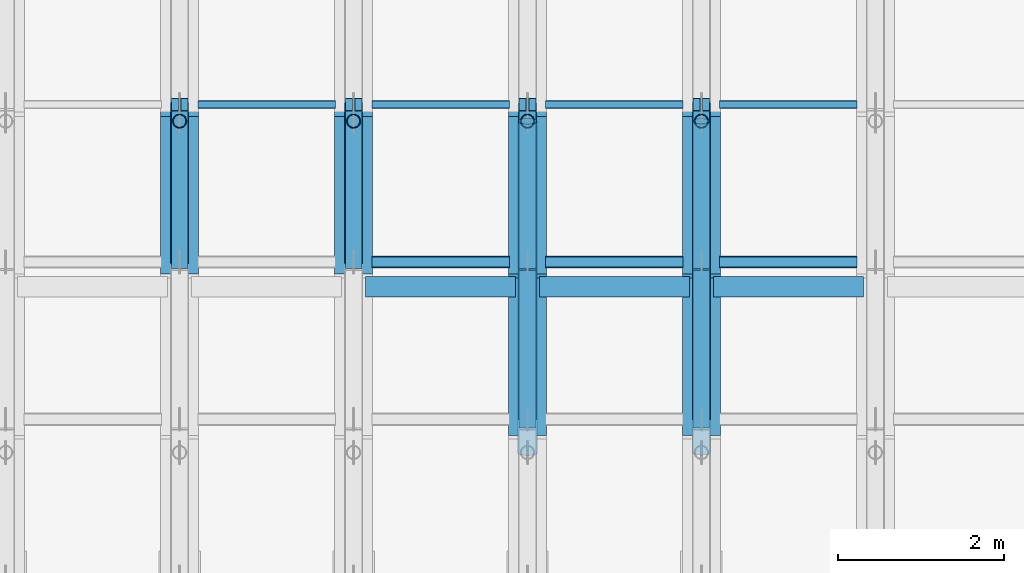
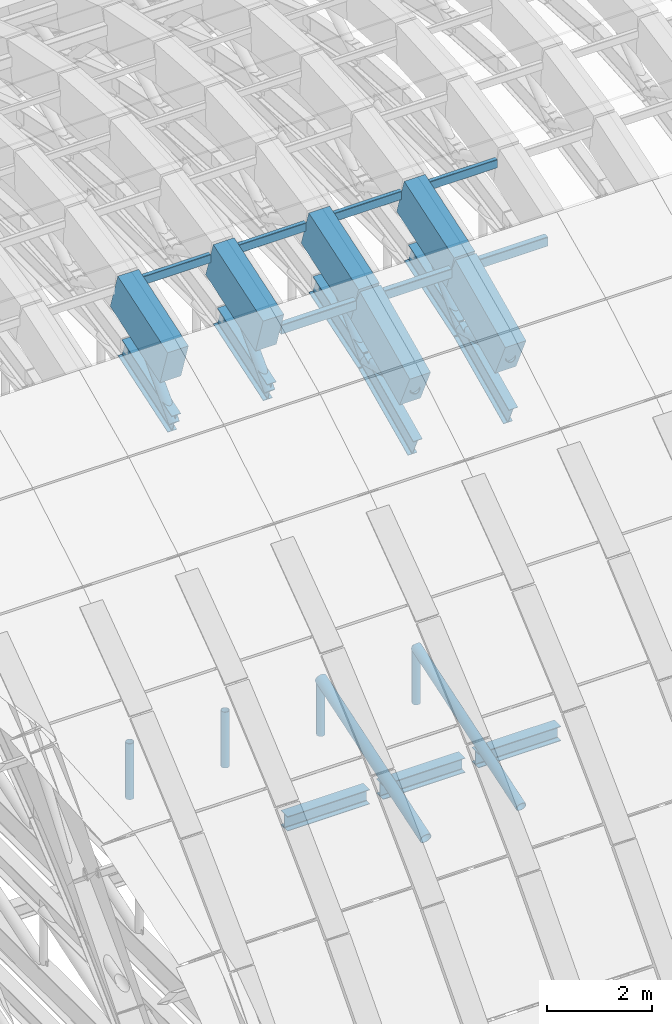
# One storey, part 10 of 67: 19 members, 15 beams.
"""IFC4 building model written with IfcOpenShell, lengths in metres."""

import ifcopenshell
import ifcopenshell.guid

model = None  # the IFC model being written
_history = None  # IfcOwnerHistory: only IFC2X3 demands one
_inside = {}  # id of a spatial element -> (the spatial element, [elements in it])
_under = {}  # id of a project, library or spatial element -> (it, [spatial elements below it])
_declared = {}  # id of a project -> (the project, [libraries it declares])
_typed = {}  # id of a type object -> (the type object, [elements of that type])
_made_of = {}  # id of a material, layer set ... -> (it, [elements and type objects made of it])


def new_model(schema):
    """Start an empty IFC model of exactly this schema.

    Asked for "IFC4X3", IfcOpenShell would pick the latest addendum, in which some entities
    have other attributes; the version numbers below select the first issue.
    IFC2X3 requires an IfcOwnerHistory on every rooted entity: one is made here for all.
    """
    global model, _history
    if schema == "IFC4X3":
        model = ifcopenshell.file(schema_version=(4, 3, 0, 0))
    else:
        model = ifcopenshell.file(schema=schema)
    _inside.clear()
    _under.clear()
    _declared.clear()
    _typed.clear()
    _made_of.clear()
    _history = None
    if model.schema == "IFC2X3":
        org = make("IfcOrganization", Name="unknown")
        user = make(
            "IfcPersonAndOrganization",
            ThePerson=make("IfcPerson", FamilyName="unknown"),
            TheOrganization=org,
        )
        app = make(
            "IfcApplication",
            ApplicationDeveloper=org,
            Version="unknown",
            ApplicationFullName="unknown",
            ApplicationIdentifier="unknown",
        )
        _history = make(
            "IfcOwnerHistory",
            OwningUser=user,
            OwningApplication=app,
            ChangeAction="ADDED",
            CreationDate=0,
        )
    return model


def make(cls, **values):
    """One entity of the class cls with the attributes given. An attribute that is None is left unset."""
    return model.create_entity(
        cls, **{name: value for name, value in values.items() if value is not None}
    )


def rooted(cls, **values):
    """An entity with a GlobalId (a new one), such as an element, a storey or a relation."""
    return make(cls, GlobalId=ifcopenshell.guid.new(), OwnerHistory=_history, **values)


def si_unit(unit_type, name, prefix=None):
    """IfcSIUnit, for example si_unit("LENGTHUNIT", "METRE", prefix="MILLI")."""
    return make("IfcSIUnit", UnitType=unit_type, Prefix=prefix, Name=name)


def assignment(units):
    """IfcUnitAssignment: the units of a project."""
    return None if units is None else make("IfcUnitAssignment", Units=units)


def point(xyz):
    """IfcCartesianPoint."""
    return None if xyz is None else make("IfcCartesianPoint", Coordinates=xyz)


def direction(xyz):
    """IfcDirection."""
    return None if xyz is None else make("IfcDirection", DirectionRatios=xyz)


def frame(location, z_axis=None, x_axis=None):
    """IfcAxis2Placement3D, a coordinate frame: its origin and axes. An axis left out is left unset."""
    return make(
        "IfcAxis2Placement3D",
        Location=point(location),
        Axis=direction(z_axis),
        RefDirection=direction(x_axis),
    )


def frame_2d(location, x_axis=None):
    """IfcAxis2Placement2D, a coordinate frame in the plane: its origin and x axis."""
    return make(
        "IfcAxis2Placement2D", Location=point(location), RefDirection=direction(x_axis)
    )


def origin():
    """The frame at (0, 0, 0) with its axes left unset."""
    return frame((0.0, 0.0, 0.0))


def origin_2d():
    """The frame at (0, 0) in the plane with its x axis left unset."""
    return frame_2d((0.0, 0.0))


def place(relative_to, where):
    """IfcLocalPlacement: puts the frame where relative to a parent placement (None: the world)."""
    return make(
        "IfcLocalPlacement", PlacementRelTo=relative_to, RelativePlacement=where
    )


def context(
    kind, dimensions, precision=None, world=None, true_north=None, identifier=None
):
    """IfcGeometricRepresentationContext, for example the 3D "Model" context."""
    return make(
        "IfcGeometricRepresentationContext",
        ContextIdentifier=identifier,
        ContextType=kind,
        CoordinateSpaceDimension=dimensions,
        Precision=precision,
        WorldCoordinateSystem=world,
        TrueNorth=true_north,
    )


def subcontext(parent, identifier, kind, view, scale=None):
    """IfcGeometricRepresentationSubContext, for example "Body" below "Model"."""
    return make(
        "IfcGeometricRepresentationSubContext",
        ContextIdentifier=identifier,
        ContextType=kind,
        ParentContext=parent,
        TargetScale=scale,
        TargetView=view,
    )


def project(units=None, contexts=None):
    """IfcProject with its units and contexts."""
    return rooted(
        "IfcProject",
        Name="project",
        RepresentationContexts=contexts,
        UnitsInContext=assignment(units),
    )


def spatial(cls, under=None, at=None, **own):
    """A site, building, storey or space (cls), placed at a placement, below another one or the project."""
    s = rooted(cls, ObjectPlacement=at, **own)
    if under is not None:
        _under.setdefault(under.id(), (under, []))[1].append(s)
    return s


def profile(cls, at=None, kind="AREA", **sizes):
    """A parametric profile (cls). Its sizes go by their IFC names, for example OverallWidth=200.0."""
    return make(cls, ProfileType=kind, Position=at, **sizes)


def rectangle(**sizes):
    """IfcRectangleProfileDef."""
    return profile("IfcRectangleProfileDef", **sizes)


def hollow_rectangle(**sizes):
    """IfcRectangleHollowProfileDef."""
    return profile("IfcRectangleHollowProfileDef", **sizes)


def hollow_circle(**sizes):
    """IfcCircleHollowProfileDef."""
    return profile("IfcCircleHollowProfileDef", **sizes)


def i_section(**sizes):
    """IfcIShapeProfileDef."""
    return profile("IfcIShapeProfileDef", **sizes)


def extrude(swept, where, along, depth):
    """IfcExtrudedAreaSolid: the profile swept, set in the frame where, extruded along a direction by depth."""
    return make(
        "IfcExtrudedAreaSolid",
        SweptArea=swept,
        Position=where,
        ExtrudedDirection=direction(along),
        Depth=depth,
    )


def shape(context_of_items, identifier, shape_type, items):
    """IfcShapeRepresentation: the items that make up one representation, for example the "Body"."""
    return make(
        "IfcShapeRepresentation",
        ContextOfItems=context_of_items,
        RepresentationIdentifier=identifier,
        RepresentationType=shape_type,
        Items=items,
    )


def material(Name=None, Category=None):
    """IfcMaterial."""
    return make("IfcMaterial", Name=Name, Category=Category)


def material_profile(
    of_material, cross_section, Name=None, Category=None, Priority=None
):
    """IfcMaterialProfile: a cross section and its material."""
    return make(
        "IfcMaterialProfile",
        Name=Name,
        Material=of_material,
        Profile=cross_section,
        Priority=Priority,
        Category=Category,
    )


def profile_set(profiles, Name=None, composite=None):
    """IfcMaterialProfileSet."""
    return make(
        "IfcMaterialProfileSet",
        Name=Name,
        MaterialProfiles=profiles,
        CompositeProfile=composite,
    )


def made_of(thing, what):
    """Note that an element or type object is made of a material, layer set ...; save() writes the relation."""
    if what is not None:
        _made_of.setdefault(what.id(), (what, []))[1].append(thing)
    return thing


def type_object(cls, material=None, **own):
    """A type object (cls), such as IfcWallType, which elements share."""
    return made_of(rooted(cls, **own), material)


def element(
    cls,
    number,
    at=None,
    inside=None,
    cuts=None,
    type_object=None,
    material=None,
    context=None,
    identifier="Body",
    shape_type=None,
    held_by="IfcProductDefinitionShape",
    body=None,
    shapes=None,
    **own,
):
    """One element of the class cls, such as IfcWall. Its Tag is "e" and its number.

    at: its placement. inside: the storey or other place that contains it. cuts: it is an
    opening in that element (IfcRelVoidsElement). A single representation is given by context,
    identifier, shape_type and body (its items); several are given by shapes. held_by: the class
    of the entity that holds the representations. save() writes the other relations.
    """
    e = rooted(cls, Tag="e%d" % number, ObjectPlacement=at, **own)
    if body is not None:
        shapes = [shape(context, identifier, shape_type, body)]
    if shapes is not None:
        e.Representation = make(held_by, Representations=shapes)
    if inside is not None:
        _inside.setdefault(inside.id(), (inside, []))[1].append(e)
    if cuts is not None:
        rooted(
            "IfcRelVoidsElement", RelatingBuildingElement=cuts, RelatedOpeningElement=e
        )
    if type_object is not None:
        _typed.setdefault(type_object.id(), (type_object, []))[1].append(e)
    return made_of(e, material)


def aggregate(whole, parts):
    """IfcRelAggregates: a whole, such as a stair, and the parts it consists of."""
    return rooted("IfcRelAggregates", RelatingObject=whole, RelatedObjects=parts)


def save(model, path):
    """Write the relations noted so far, then the file.

    IfcRelAggregates (storeys below a building ...), IfcRelContainedInSpatialStructure (elements
    in a storey), IfcRelDefinesByType, IfcRelAssociatesMaterial and IfcRelDeclares: one each for
    every whole, place, type object, material and project.
    """
    for whole, parts in _under.values():
        aggregate(whole, parts)
    for where, things in _inside.values():
        rooted(
            "IfcRelContainedInSpatialStructure",
            RelatedElements=things,
            RelatingStructure=where,
        )
    for kind, things in _typed.values():
        rooted("IfcRelDefinesByType", RelatedObjects=things, RelatingType=kind)
    for what, things in _made_of.values():
        rooted("IfcRelAssociatesMaterial", RelatedObjects=things, RelatingMaterial=what)
    for by, libraries in _declared.values():
        rooted("IfcRelDeclares", RelatingContext=by, RelatedDefinitions=libraries)
    model.write(path)


model = new_model("IFC4")

# Units and contexts
model_context = context("Model", 3, precision=1e-05, world=origin(), true_north=direction((0.0, 1.0)))
body_context = subcontext(model_context, "Body", "Model", "MODEL_VIEW")
ifc_project = project(units=[si_unit("LENGTHUNIT", "METRE"), si_unit("AREAUNIT", "SQUARE_METRE"), si_unit("VOLUMEUNIT", "CUBIC_METRE"), si_unit("PLANEANGLEUNIT", "RADIAN"), si_unit("MASSUNIT", "GRAM", prefix="KILO")], contexts=[model_context])

# Site, building, storey
site_placement = place(None, origin())
site = spatial("IfcSite", under=ifc_project, at=site_placement, CompositionType="ELEMENT")
building_placement = place(site_placement, origin())
building = spatial("IfcBuilding", under=site, at=building_placement, Name="Shengluoqiao Park Theatre", CompositionType="ELEMENT")
storey_placement = place(building_placement, frame((0.0, 0.0, 28.60009765625)))
storey = spatial("IfcBuildingStorey", under=building, at=storey_placement, Name="Roof", CompositionType="ELEMENT", Elevation=28.60009765625)

# Beams
ifc_material_1 = material(Name="Concrete C50", Category="concrete")
ifc_material_profile_1 = material_profile(ifc_material_1, rectangle(XDim=0.4599609375, YDim=0.919921875, at=origin_2d()), Name="RC ARCH 460x920")
ifc_profile_set_1 = profile_set([ifc_material_profile_1], Name="Concrete C50")
beam_type_1 = type_object("IfcBeamType", Name="STR-BM-AR-4609", PredefinedType="BEAM", material=ifc_profile_set_1)
for number, where, z_axis, x_axis, name in (
    (1, (69.60009765625, 89.300048828125, 1.44580078125), (0.0, 0.949157901431, 0.314800378257), (-1.0, 0.0, 0.0), "Barrel-Shell Arch Rib R13-S08"),
    (2, (71.699951171875, 89.300048828125, 1.44580078125), (0.0, 0.949157901431, 0.314800378257), (-1.0, 0.0, 0.0), "Barrel-Shell Arch Rib R14-S08"),
):
    element("IfcBeam", number, at=place(storey_placement, frame(where, z_axis=z_axis, x_axis=x_axis)), inside=storey, type_object=beam_type_1, Name=name, PredefinedType="BEAM", context=body_context, shape_type="SweptSolid", body=[
        extrude(rectangle(XDim=0.4599609375, YDim=0.919921875, at=origin_2d()), origin(), (0.0, 0.0, 1.0), 2.001708984375),
    ])
beam_1_placement = place(storey_placement, frame((73.800048828125, 87.39990234375, 0.56396484375), z_axis=(0.0, 0.907077318021, 0.420964059192), x_axis=(-1.0, 0.0, 0.0)))
element("IfcBeam", 3, at=beam_1_placement, inside=storey, type_object=beam_type_1, Name="Barrel-Shell Arch Rib R15-S07", PredefinedType="BEAM", context=body_context, shape_type="SweptSolid", body=[
    extrude(rectangle(XDim=0.4599609375, YDim=0.919921875, at=origin_2d()), origin(), (0.0, 0.0, 1.0), 2.0947265625),
])
beam_2_placement = place(storey_placement, frame((73.800048828125, 89.300048828125, 1.44580078125), z_axis=(0.0, 0.949157901431, 0.314800378257), x_axis=(-1.0, 0.0, 0.0)))
element("IfcBeam", 4, at=beam_2_placement, inside=storey, type_object=beam_type_1, Name="Barrel-Shell Arch Rib R15-S08", PredefinedType="BEAM", context=body_context, shape_type="SweptSolid", body=[
    extrude(rectangle(XDim=0.4599609375, YDim=0.919921875, at=origin_2d()), origin(), (0.0, 0.0, 1.0), 2.001708984375),
])
beam_3_placement = place(storey_placement, frame((75.89990234375, 87.39990234375, 0.56396484375), z_axis=(0.0, 0.907077318021, 0.420964059192), x_axis=(-1.0, 0.0, 0.0)))
element("IfcBeam", 5, at=beam_3_placement, inside=storey, type_object=beam_type_1, Name="Barrel-Shell Arch Rib R16-S07", PredefinedType="BEAM", context=body_context, shape_type="SweptSolid", body=[
    extrude(rectangle(XDim=0.4599609375, YDim=0.919921875, at=origin_2d()), origin(), (0.0, 0.0, 1.0), 2.0947265625),
])
beam_4_placement = place(storey_placement, frame((75.89990234375, 89.300048828125, 1.44580078125), z_axis=(0.0, 0.949157901431, 0.314800378257), x_axis=(-1.0, 0.0, 0.0)))
element("IfcBeam", 6, at=beam_4_placement, inside=storey, type_object=beam_type_1, Name="Barrel-Shell Arch Rib R16-S08", PredefinedType="BEAM", context=body_context, shape_type="SweptSolid", body=[
    extrude(rectangle(XDim=0.4599609375, YDim=0.919921875, at=origin_2d()), origin(), (0.0, 0.0, 1.0), 2.001708984375),
])
ifc_material_2 = material(Name="Steel Q355", Category="steel")
ifc_material_profile_2 = material_profile(ifc_material_2, i_section(OverallWidth=0.25, OverallDepth=0.340087890625, WebThickness=0.009033203125, FlangeThickness=0.013916015625, FilletRadius=0.01611328125, at=origin_2d()), Name="HM 340x250x9x14")
ifc_profile_set_2 = profile_set([ifc_material_profile_2], Name="Steel Q355")
beam_type_2 = type_object("IfcBeamType", Name="STR-BM-G-HM340", PredefinedType="BEAM", material=ifc_profile_set_2)
for number, where, z_axis, x_axis, name in (
    (7, (71.843994140625, 89.0, -9.77001953125), (1.0, 0.0, 0.0), (0.0, 1.0, 0.0), "Auditorium Overhead Catwalk Girder R14-2"),
    (8, (73.944091796875, 89.0, -9.77001953125), (1.0, 0.0, 0.0), (0.0, 1.0, 0.0), "Auditorium Overhead Catwalk Girder R15-2"),
    (9, (76.0439453125, 89.0, -9.77001953125), (1.0, 0.0, 0.0), (0.0, 1.0, 0.0), "Auditorium Overhead Catwalk Girder R16-2"),
):
    element("IfcBeam", number, at=place(storey_placement, frame(where, z_axis=z_axis, x_axis=x_axis)), inside=storey, type_object=beam_type_2, Name=name, PredefinedType="BEAM", context=body_context, shape_type="SweptSolid", body=[
        extrude(i_section(OverallWidth=0.25, OverallDepth=0.340087890625, WebThickness=0.009033203125, FlangeThickness=0.013916015625, FilletRadius=0.01611328125, at=origin_2d()), origin(), (0.0, 0.0, 1.0), 1.81201171875),
    ])
ifc_material_profile_3 = material_profile(ifc_material_2, i_section(OverallWidth=0.199951171875, OverallDepth=0.5, WebThickness=0.010009765625, FlangeThickness=0.01611328125, FilletRadius=0.01806640625, at=origin_2d()), Name="HN 500x200x10x16")
ifc_profile_set_3 = profile_set([ifc_material_profile_3], Name="Steel Q355")
beam_type_3 = type_object("IfcBeamType", Name="STR-BM-J-HN500", PredefinedType="JOIST", material=ifc_profile_set_3)
for number, where, z_axis, x_axis, name in (
    (10, (69.60009765625, 89.300048828125, 0.0859375), (0.0, 0.949194340043, 0.314690490531), (-1.0, 0.0, 0.0), "Barrel-Shell Lower Arch Chord R13-S08"),
    (11, (71.699951171875, 89.300048828125, 0.0859375), (0.0, 0.949194340043, 0.314690490531), (-1.0, 0.0, 0.0), "Barrel-Shell Lower Arch Chord R14-S08"),
):
    element("IfcBeam", number, at=place(storey_placement, frame(where, z_axis=z_axis, x_axis=x_axis)), inside=storey, type_object=beam_type_3, Name=name, PredefinedType="JOIST", context=body_context, shape_type="SweptSolid", body=[
        extrude(i_section(OverallWidth=0.199951171875, OverallDepth=0.5, WebThickness=0.010009765625, FlangeThickness=0.01611328125, FilletRadius=0.01806640625, at=origin_2d()), origin(), (0.0, 0.0, 1.0), 2.001708984375),
    ])
beam_5_placement = place(storey_placement, frame((73.800048828125, 87.39990234375, -0.796142578125), z_axis=(0.0, 0.907032812412, 0.421059944911), x_axis=(-1.0, 0.0, 0.0)))
element("IfcBeam", 12, at=beam_5_placement, inside=storey, type_object=beam_type_3, Name="Barrel-Shell Lower Arch Chord R15-S07", PredefinedType="JOIST", context=body_context, shape_type="SweptSolid", body=[
    extrude(i_section(OverallWidth=0.199951171875, OverallDepth=0.5, WebThickness=0.010009765625, FlangeThickness=0.01611328125, FilletRadius=0.01806640625, at=origin_2d()), origin(), (0.0, 0.0, 1.0), 2.094970703125),
])
beam_6_placement = place(storey_placement, frame((73.800048828125, 89.300048828125, 0.0859375), z_axis=(0.0, 0.949194340043, 0.314690490531), x_axis=(-1.0, 0.0, 0.0)))
element("IfcBeam", 13, at=beam_6_placement, inside=storey, type_object=beam_type_3, Name="Barrel-Shell Lower Arch Chord R15-S08", PredefinedType="JOIST", context=body_context, shape_type="SweptSolid", body=[
    extrude(i_section(OverallWidth=0.199951171875, OverallDepth=0.5, WebThickness=0.010009765625, FlangeThickness=0.01611328125, FilletRadius=0.01806640625, at=origin_2d()), origin(), (0.0, 0.0, 1.0), 2.001708984375),
])
beam_7_placement = place(storey_placement, frame((75.89990234375, 87.39990234375, -0.796142578125), z_axis=(0.0, 0.907032812412, 0.421059944911), x_axis=(-1.0, 0.0, 0.0)))
element("IfcBeam", 14, at=beam_7_placement, inside=storey, type_object=beam_type_3, Name="Barrel-Shell Lower Arch Chord R16-S07", PredefinedType="JOIST", context=body_context, shape_type="SweptSolid", body=[
    extrude(i_section(OverallWidth=0.199951171875, OverallDepth=0.5, WebThickness=0.010009765625, FlangeThickness=0.01611328125, FilletRadius=0.01806640625, at=origin_2d()), origin(), (0.0, 0.0, 1.0), 2.094970703125),
])
beam_8_placement = place(storey_placement, frame((75.89990234375, 89.300048828125, 0.0859375), z_axis=(0.0, 0.949194340043, 0.314690490531), x_axis=(-1.0, 0.0, 0.0)))
element("IfcBeam", 15, at=beam_8_placement, inside=storey, type_object=beam_type_3, Name="Barrel-Shell Lower Arch Chord R16-S08", PredefinedType="JOIST", context=body_context, shape_type="SweptSolid", body=[
    extrude(i_section(OverallWidth=0.199951171875, OverallDepth=0.5, WebThickness=0.010009765625, FlangeThickness=0.01611328125, FilletRadius=0.01806640625, at=origin_2d()), origin(), (0.0, 0.0, 1.0), 2.001708984375),
])

# Members
ifc_material_profile_4 = material_profile(ifc_material_2, hollow_circle(Radius=0.109619140625, WallThickness=0.010009765625, at=origin_2d()), Name="CHS 219x10")
ifc_profile_set_4 = profile_set([ifc_material_profile_4], Name="Steel Q355")
member_type_1 = type_object("IfcMemberType", Name="STR-MEM-BRC-219", PredefinedType="BRACE", material=ifc_profile_set_4)
for number, where, z_axis, x_axis, name in (
    (16, (69.60009765625, 89.300048828125, 0.0859375), (0.0, 0.690545389436, 0.723289060562), (-1.0, 0.0, 0.0), "Barrel-Shell Arch Truss Web 0248"),
    (17, (71.699951171875, 89.300048828125, 0.0859375), (0.0, 0.690545389436, 0.723289060562), (-1.0, 0.0, 0.0), "Barrel-Shell Arch Truss Web 0268"),
):
    element("IfcMember", number, at=place(storey_placement, frame(where, z_axis=z_axis, x_axis=x_axis)), inside=storey, type_object=member_type_1, Name=name, PredefinedType="BRACE", context=body_context, shape_type="SweptSolid", body=[
        extrude(hollow_circle(Radius=0.109619140625, WallThickness=0.010009765625, at=origin_2d()), origin(), (0.0, 0.0, 1.0), 2.751220703125),
    ])
member_1_placement = place(storey_placement, frame((73.800048828125, 87.39990234375, 0.56396484375), z_axis=(0.0, 0.96978228772, -0.243971954176), x_axis=(-1.0, 0.0, 0.0)))
element("IfcMember", 18, at=member_1_placement, inside=storey, type_object=member_type_1, Name="Barrel-Shell Arch Truss Web 0287", PredefinedType="BRACE", context=body_context, shape_type="SweptSolid", body=[
    extrude(hollow_circle(Radius=0.109619140625, WallThickness=0.010009765625, at=origin_2d()), origin(), (0.0, 0.0, 1.0), 1.95947265625),
])
member_2_placement = place(storey_placement, frame((73.800048828125, 89.300048828125, 0.0859375), z_axis=(0.0, 0.690545389436, 0.723289060562), x_axis=(-1.0, 0.0, 0.0)))
element("IfcMember", 19, at=member_2_placement, inside=storey, type_object=member_type_1, Name="Barrel-Shell Arch Truss Web 0288", PredefinedType="BRACE", context=body_context, shape_type="SweptSolid", body=[
    extrude(hollow_circle(Radius=0.109619140625, WallThickness=0.010009765625, at=origin_2d()), origin(), (0.0, 0.0, 1.0), 2.751220703125),
])
member_3_placement = place(storey_placement, frame((75.89990234375, 87.39990234375, 0.56396484375), z_axis=(0.0, 0.96978228772, -0.243971954176), x_axis=(-1.0, 0.0, 0.0)))
element("IfcMember", 20, at=member_3_placement, inside=storey, type_object=member_type_1, Name="Barrel-Shell Arch Truss Web 0307", PredefinedType="BRACE", context=body_context, shape_type="SweptSolid", body=[
    extrude(hollow_circle(Radius=0.109619140625, WallThickness=0.010009765625, at=origin_2d()), origin(), (0.0, 0.0, 1.0), 1.95947265625),
])
member_4_placement = place(storey_placement, frame((75.89990234375, 89.300048828125, 0.0859375), z_axis=(0.0, 0.690545389436, 0.723289060562), x_axis=(-1.0, 0.0, 0.0)))
element("IfcMember", 21, at=member_4_placement, inside=storey, type_object=member_type_1, Name="Barrel-Shell Arch Truss Web 0308", PredefinedType="BRACE", context=body_context, shape_type="SweptSolid", body=[
    extrude(hollow_circle(Radius=0.109619140625, WallThickness=0.010009765625, at=origin_2d()), origin(), (0.0, 0.0, 1.0), 2.751220703125),
])
member_5_placement = place(storey_placement, frame((75.89990234375, 87.0, -9.650146484375), z_axis=(0.0, 0.951030656115, 0.309096572498), x_axis=(-1.0, 0.0, 0.0)))
element("IfcMember", 22, at=member_5_placement, inside=storey, type_object=member_type_1, Name="Acoustic Tie Truss Diagonal 0114", PredefinedType="BRACE", context=body_context, shape_type="SweptSolid", body=[
    extrude(hollow_circle(Radius=0.109619140625, WallThickness=0.010009765625, at=origin_2d()), origin(), (0.0, 0.0, 1.0), 4.2060546875),
])
ifc_material_profile_5 = material_profile(ifc_material_2, hollow_circle(Radius=0.12255859375, WallThickness=0.010009765625, at=origin_2d()), Name="CHS 245x10")
ifc_profile_set_5 = profile_set([ifc_material_profile_5], Name="Steel Q355")
member_type_2 = type_object("IfcMemberType", Name="STR-MEM-BRC-245", PredefinedType="BRACE", material=ifc_profile_set_5)
member_6_placement = place(storey_placement, frame((73.800048828125, 87.0, -9.650146484375), z_axis=(0.0, 0.951030656115, 0.309096572498), x_axis=(-1.0, 0.0, 0.0)))
element("IfcMember", 23, at=member_6_placement, inside=storey, type_object=member_type_2, Name="Acoustic Tie Truss Diagonal 0097", PredefinedType="BRACE", context=body_context, shape_type="SweptSolid", body=[
    extrude(hollow_circle(Radius=0.12255859375, WallThickness=0.010009765625, at=origin_2d()), origin(), (0.0, 0.0, 1.0), 4.2060546875),
])
ifc_material_profile_6 = material_profile(ifc_material_2, hollow_rectangle(XDim=0.10009765625, YDim=0.199951171875, WallThickness=0.008056640625, InnerFilletRadius=0.008056640625, OuterFilletRadius=0.01611328125, at=origin_2d()), Name="RHS 200x100x8")
ifc_profile_set_6 = profile_set([ifc_material_profile_6], Name="Steel Q355")
member_type_3 = type_object("IfcMemberType", Name="STR-MEM-PU-R200", PredefinedType="PURLIN", material=ifc_profile_set_6)
member_7_placement = place(storey_placement, frame((69.820068359375, 91.199951171875, 2.1259765625), z_axis=(1.0, 0.0, 0.0), x_axis=(0.0, 1.0, 0.0)))
element("IfcMember", 24, at=member_7_placement, inside=storey, type_object=member_type_3, Name="Shell Longitudinal Purlin 0236", PredefinedType="PURLIN", context=body_context, shape_type="SweptSolid", body=[
    extrude(hollow_rectangle(XDim=0.10009765625, YDim=0.199951171875, WallThickness=0.008056640625, InnerFilletRadius=0.008056640625, OuterFilletRadius=0.01611328125, at=origin_2d()), origin(), (0.0, 0.0, 1.0), 1.659912109375),
])
member_8_placement = place(storey_placement, frame((71.919921875, 91.199951171875, 2.1259765625), z_axis=(1.0, 0.0, 0.0), x_axis=(0.0, 1.0, 0.0)))
element("IfcMember", 25, at=member_8_placement, inside=storey, type_object=member_type_3, Name="Shell Longitudinal Purlin 0255", PredefinedType="PURLIN", context=body_context, shape_type="SweptSolid", body=[
    extrude(hollow_rectangle(XDim=0.10009765625, YDim=0.199951171875, WallThickness=0.008056640625, InnerFilletRadius=0.008056640625, OuterFilletRadius=0.01611328125, at=origin_2d()), origin(), (0.0, 0.0, 1.0), 1.66015625),
])
for number, where, z_axis, x_axis, name in (
    (26, (74.02001953125, 91.199951171875, 2.1259765625), (1.0, 0.0, 0.0), (0.0, 1.0, 0.0), "Shell Longitudinal Purlin 0274"),
    (27, (76.1201171875, 91.199951171875, 2.1259765625), (1.0, 0.0, 0.0), (0.0, 1.0, 0.0), "Shell Longitudinal Purlin 0293"),
):
    element("IfcMember", number, at=place(storey_placement, frame(where, z_axis=z_axis, x_axis=x_axis)), inside=storey, type_object=member_type_3, Name=name, PredefinedType="PURLIN", context=body_context, shape_type="SweptSolid", body=[
        extrude(hollow_rectangle(XDim=0.10009765625, YDim=0.199951171875, WallThickness=0.008056640625, InnerFilletRadius=0.008056640625, OuterFilletRadius=0.01611328125, at=origin_2d()), origin(), (0.0, 0.0, 1.0), 1.659912109375),
    ])
ifc_material_profile_7 = material_profile(ifc_material_2, hollow_rectangle(XDim=0.139892578125, YDim=0.219970703125, WallThickness=0.010009765625, InnerFilletRadius=0.010009765625, OuterFilletRadius=0.02001953125, at=origin_2d()), Name="RHS 220x140x10")
ifc_profile_set_7 = profile_set([ifc_material_profile_7], Name="Steel Q355")
member_type_4 = type_object("IfcMemberType", Name="STR-MEM-PU-R220", PredefinedType="PURLIN", material=ifc_profile_set_7)
member_9_placement = place(storey_placement, frame((71.919921875, 89.300048828125, 1.475830078125), z_axis=(1.0, 0.0, 0.0), x_axis=(0.0, 1.0, 0.0)))
element("IfcMember", 28, at=member_9_placement, inside=storey, type_object=member_type_4, Name="Shell Longitudinal Purlin 0254", PredefinedType="PURLIN", context=body_context, shape_type="SweptSolid", body=[
    extrude(hollow_rectangle(XDim=0.139892578125, YDim=0.219970703125, WallThickness=0.010009765625, InnerFilletRadius=0.010009765625, OuterFilletRadius=0.02001953125, at=origin_2d()), origin(), (0.0, 0.0, 1.0), 1.66015625),
])
for number, where, z_axis, x_axis, name in (
    (29, (74.02001953125, 89.300048828125, 1.475830078125), (1.0, 0.0, 0.0), (0.0, 1.0, 0.0), "Shell Longitudinal Purlin 0273"),
    (30, (76.1201171875, 89.300048828125, 1.475830078125), (1.0, 0.0, 0.0), (0.0, 1.0, 0.0), "Shell Longitudinal Purlin 0292"),
):
    element("IfcMember", number, at=place(storey_placement, frame(where, z_axis=z_axis, x_axis=x_axis)), inside=storey, type_object=member_type_4, Name=name, PredefinedType="PURLIN", context=body_context, shape_type="SweptSolid", body=[
        extrude(hollow_rectangle(XDim=0.139892578125, YDim=0.219970703125, WallThickness=0.010009765625, InnerFilletRadius=0.010009765625, OuterFilletRadius=0.02001953125, at=origin_2d()), origin(), (0.0, 0.0, 1.0), 1.659912109375),
    ])
ifc_material_profile_8 = material_profile(ifc_material_2, hollow_circle(Radius=0.083984375, WallThickness=0.008056640625, at=origin_2d()), Name="CHS 168x8")
ifc_profile_set_8 = profile_set([ifc_material_profile_8], Name="Steel Q355")
member_type_5 = type_object("IfcMemberType", Name="STR-MEM-STC-168", PredefinedType="STRUT", material=ifc_profile_set_8)
for number, where, z_axis, x_axis, name in (
    (31, (69.60009765625, 91.0, -9.650146484375), (0.0, 0.0, 1.0), (1.0, 0.0, 0.0), "Acoustic Tie Truss Strut 0055"),
    (32, (71.699951171875, 91.0, -9.650146484375), (0.0, 0.0, 1.0), (1.0, 0.0, 0.0), "Acoustic Tie Truss Strut 0072"),
    (33, (73.800048828125, 91.0, -9.650146484375), (0.0, 0.0, 1.0), (1.0, 0.0, 0.0), "Acoustic Tie Truss Strut 0089"),
    (34, (75.89990234375, 91.0, -9.650146484375), (0.0, 0.0, 1.0), (1.0, 0.0, 0.0), "Acoustic Tie Truss Strut 0106"),
):
    element("IfcMember", number, at=place(storey_placement, frame(where, z_axis=z_axis, x_axis=x_axis)), inside=storey, type_object=member_type_5, Name=name, PredefinedType="STRUT", context=body_context, shape_type="SweptSolid", body=[
        extrude(hollow_circle(Radius=0.083984375, WallThickness=0.008056640625, at=origin_2d()), origin(), (0.0, 0.0, 1.0), 1.300048828125),
    ])

save(model, "model.ifc")
